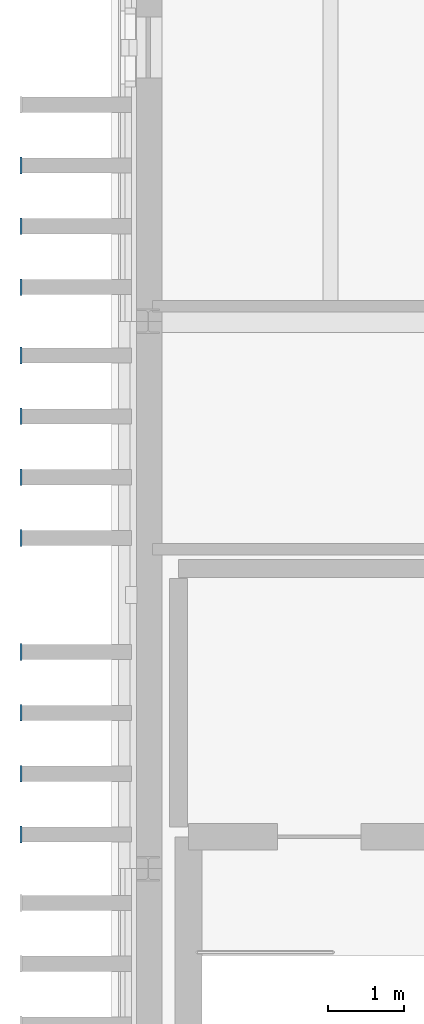
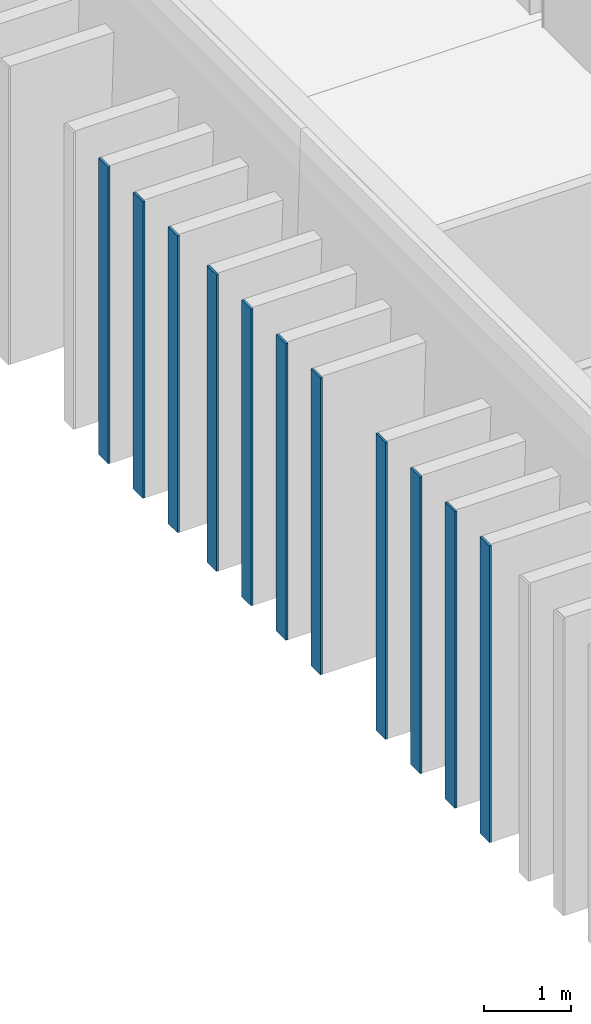
# One storey, part 12 of 44: 11 plates.
"""IFC4 building model written with IfcOpenShell, lengths in metres."""

from ifc_helpers import new_model, si_unit, direction, frame, origin, origin_2d, place, context, subcontext, project, spatial, rectangle, extrude, material, layer, layer_set, type_object, element, save


model = new_model("IFC4")

# Units and contexts
model_context = context("Model", 3, precision=1e-05, world=origin(), true_north=direction((0.0, 1.0)))
body_context = subcontext(model_context, "Body", "Model", "MODEL_VIEW")
ifc_project = project(units=[si_unit("LENGTHUNIT", "METRE"), si_unit("AREAUNIT", "SQUARE_METRE"), si_unit("VOLUMEUNIT", "CUBIC_METRE"), si_unit("PLANEANGLEUNIT", "RADIAN"), si_unit("MASSUNIT", "GRAM", prefix="KILO")], contexts=[model_context])

# Site, building, storey
site_placement = place(None, origin())
site = spatial("IfcSite", under=ifc_project, at=site_placement, CompositionType="ELEMENT")
building_placement = place(site_placement, origin())
building = spatial("IfcBuilding", under=site, at=building_placement, Name="Narikvali Park Central Library", CompositionType="ELEMENT")
storey_placement = place(building_placement, frame((0.0, 0.0, 22.800048828125)))
storey = spatial("IfcBuildingStorey", under=building, at=storey_placement, Name="L05", CompositionType="ELEMENT", Elevation=22.800048828125)

# Plates
ifc_material = material(Name="Anodised Bronze Aluminium", Category="aluminium")
ifc_layer = layer(ifc_material, 0.028076171875, Name="Anodised Bronze Aluminium")
ifc_layer_set = layer_set([ifc_layer], Name="Anodised Bronze Aluminium")
plate_type = type_object("IfcPlateType", Name="Vertical Brick Fin Bronze Bullnose Cap 28", PredefinedType="SHEET", material=ifc_layer_set)
for number, where, z_axis, x_axis, name in (
    (1, (-1.672119140625, 50.85009765625, 0.009765625), (0.0, 0.0, 1.0), (1.0, 0.0, 0.0), "West Stacks Fin Bullnose Trim 126"),
    (2, (-1.672119140625, 51.64990234375, 0.009765625), (0.0, 0.0, 1.0), (1.0, 0.0, 0.0), "West Stacks Fin Bullnose Trim 132"),
    (3, (-1.672119140625, 52.449951171875, 0.009765625), (0.0, 0.0, 1.0), (1.0, 0.0, 0.0), "West Stacks Fin Bullnose Trim 138"),
    (4, (-1.672119140625, 53.25, 0.009765625), (0.0, 0.0, 1.0), (1.0, 0.0, 0.0), "West Stacks Fin Bullnose Trim 144"),
    (5, (-1.672119140625, 54.75, 0.009765625), (0.0, 0.0, 1.0), (1.0, 0.0, 0.0), "West Stacks Fin Bullnose Trim 150"),
    (6, (-1.672119140625, 55.550048828125, 0.009765625), (0.0, 0.0, 1.0), (1.0, 0.0, 0.0), "West Stacks Fin Bullnose Trim 156"),
    (7, (-1.672119140625, 56.35009765625, 0.009765625), (0.0, 0.0, 1.0), (1.0, 0.0, 0.0), "West Stacks Fin Bullnose Trim 162"),
    (8, (-1.672119140625, 57.14990234375, 0.009765625), (0.0, 0.0, 1.0), (1.0, 0.0, 0.0), "West Stacks Fin Bullnose Trim 168"),
    (9, (-1.672119140625, 58.050048828125, 0.009765625), (0.0, 0.0, 1.0), (1.0, 0.0, 0.0), "West Stacks Fin Bullnose Trim 174"),
    (10, (-1.672119140625, 58.85009765625, 0.009765625), (0.0, 0.0, 1.0), (1.0, 0.0, 0.0), "West Stacks Fin Bullnose Trim 180"),
    (11, (-1.672119140625, 59.64990234375, 0.009765625), (0.0, 0.0, 1.0), (1.0, 0.0, 0.0), "West Stacks Fin Bullnose Trim 186"),
):
    element("IfcPlate", number, at=place(storey_placement, frame(where, z_axis=z_axis, x_axis=x_axis)), inside=storey, type_object=plate_type, Name=name, PredefinedType="SHEET", context=body_context, shape_type="SweptSolid", body=[
        extrude(rectangle(XDim=0.028076171875, YDim=0.219970703125, at=origin_2d()), origin(), (0.0, 0.0, 1.0), 4.179931640625),
    ])

save(model, "model.ifc")
